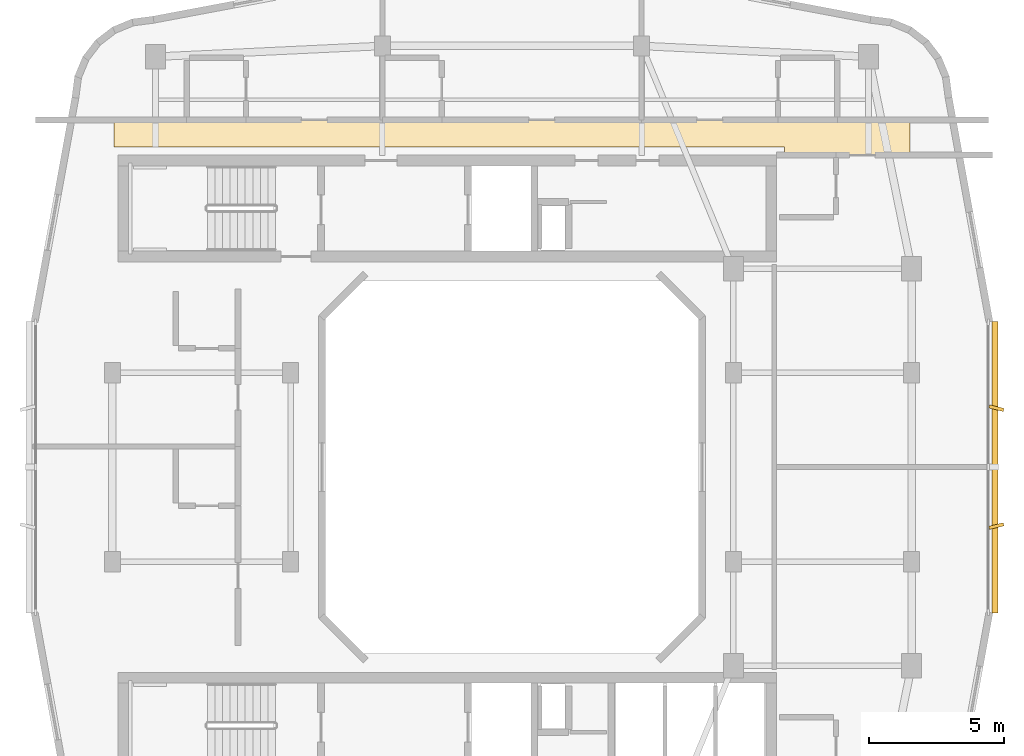
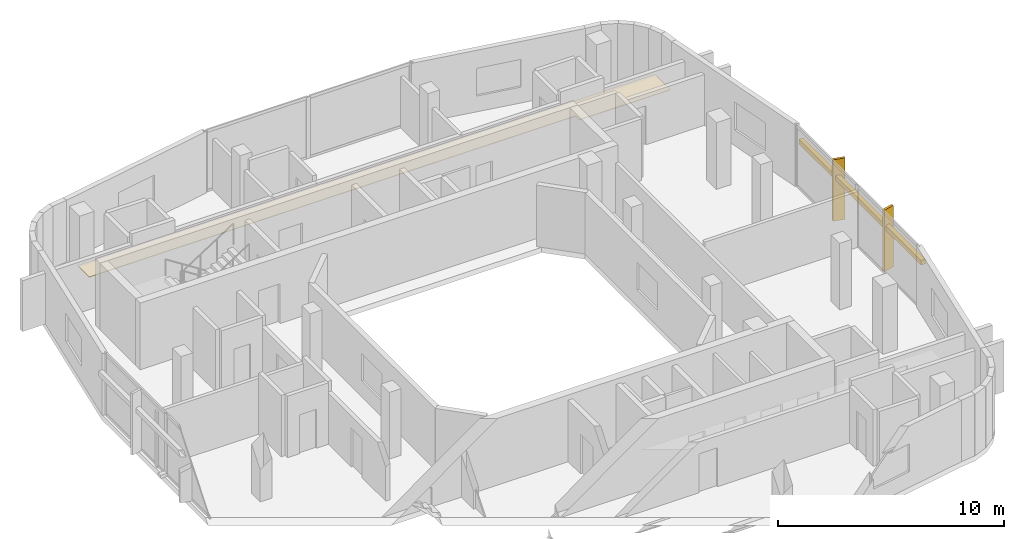
# One storey, part 10 of 10: 3 shading devices, 1 covering.
"""IFC4 building model written with IfcOpenShell, lengths in metres."""

from ifc_helpers import new_model, si_unit, derived_unit, direction, frame, origin, origin_2d, place, context, subcontext, project, spatial, polyline, rectangle, outline, extrude, material, layer, layer_set, type_object, element, save


model = new_model("IFC4")

# Units and contexts
model_context = context("Model", 3, precision=1e-05, world=origin(), true_north=direction((0.0, 1.0)))
body_context = subcontext(model_context, "Body", "Model", "MODEL_VIEW")
ifc_project = project(units=[si_unit("LENGTHUNIT", "METRE"), si_unit("AREAUNIT", "SQUARE_METRE"), si_unit("VOLUMEUNIT", "CUBIC_METRE"), si_unit("PLANEANGLEUNIT", "RADIAN"), si_unit("MASSUNIT", "GRAM", prefix="KILO"), derived_unit("THERMALTRANSMITTANCEUNIT", [(si_unit("POWERUNIT", "WATT"), 1), (si_unit("LENGTHUNIT", "METRE"), -2), (si_unit("THERMODYNAMICTEMPERATUREUNIT", "KELVIN"), -1)])], contexts=[model_context])

# Site, building, storey
site_placement = place(None, origin())
site = spatial("IfcSite", under=ifc_project, at=site_placement, CompositionType="ELEMENT")
building_placement = place(site_placement, origin())
building = spatial("IfcBuilding", under=site, at=building_placement, Name="Kivonza Crest Hotel", CompositionType="ELEMENT")
storey_placement = place(building_placement, frame((0.0, 0.0, 250.39990234375)))
storey = spatial("IfcBuildingStorey", under=building, at=storey_placement, Name="L68", CompositionType="ELEMENT", Elevation=250.39990234375)

# Covering
ifc_material_1 = material(Name="Moisture-resistant gypsum plasterboard ceiling", Category="gypsum")
ifc_layer = layer(ifc_material_1, 0.030029296875)
ifc_layer_set = layer_set([ifc_layer], Name="Moisture-resistant gypsum plasterboard ceiling")
covering_type = type_object("IfcCoveringType", Name="CV-CEIL-GYP", PredefinedType="CEILING", material=ifc_layer_set)
covering_placement = place(storey_placement, frame((0.0, 0.0, 2.4501953125)))
element("IfcCovering", 1, at=covering_placement, inside=storey, type_object=covering_type, Name="L68 Hotel North Guest Corridor suspended ceiling", PredefinedType="CEILING", context=body_context, shape_type="SweptSolid", body=[
    extrude(outline(polyline([(35.739990234375, 36.52001953125), (35.739990234375, 37.89990234375), (6.260009765625, 37.89990234375), (6.260009765625, 36.860107421875), (31.10009765625, 36.860107421875), (31.10009765625, 36.52001953125), (35.739990234375, 36.52001953125)])), origin(), (0.0, 0.0, 1.0), 0.02978515625),
])

# Shading devices
ifc_material_2 = material(Name="Kiln-fired Nairobi red-ochre terracotta", Category="masonry")
shading_device_type_1 = type_object("IfcShadingDeviceType", Name="SH-BAGUETTE-300", PredefinedType="USERDEFINED", material=ifc_material_2)
shading_device_placement = place(storey_placement, frame((38.8798828125, 25.0, 2.1943359375), z_axis=(0.0, 0.0, 1.0), x_axis=(0.0, 1.0, 0.0)))
element("IfcShadingDevice", 2, at=shading_device_placement, inside=storey, type_object=shading_device_type_1, Name="L68 terracotta baguette screen CW-T1-L68-17", ObjectType="BAGUETTE", PredefinedType="USERDEFINED", context=body_context, shape_type="SweptSolid", body=[
    extrude(rectangle(XDim=10.800048828125, YDim=0.219970703125, at=origin_2d()), origin(), (0.0, 0.0, 1.0), 0.260009765625),
])
ifc_material_3 = material(Name="Kiln-fired terracotta over extruded aluminium spine", Category="masonry")
shading_device_type_2 = type_object("IfcShadingDeviceType", Name="SH-FIN-550", PredefinedType="USERDEFINED", material=ifc_material_3)
for number, where, z_axis, x_axis, name in (
    (3, (38.93994140625, 22.81591796875, 0.0), (0.0, 0.0, 1.0), (-0.2419218956, 0.970295726276, 0.0), "L68 vertical solar shading fin CW-T1-L68-17-1"),
    (4, (38.93994140625, 27.18408203125, 0.0), (0.0, 0.0, 1.0), (0.2419218956, 0.970295726276, 0.0), "L68 vertical solar shading fin CW-T1-L68-17-2"),
):
    element("IfcShadingDevice", number, at=place(storey_placement, frame(where, z_axis=z_axis, x_axis=x_axis)), inside=storey, type_object=shading_device_type_2, Name=name, ObjectType="FIN", PredefinedType="USERDEFINED", context=body_context, shape_type="SweptSolid", body=[
        extrude(rectangle(XDim=0.1201171875, YDim=0.550048828125, at=origin_2d()), origin(), (0.0, 0.0, 1.0), 3.320068359375),
    ])

save(model, "model.ifc")
